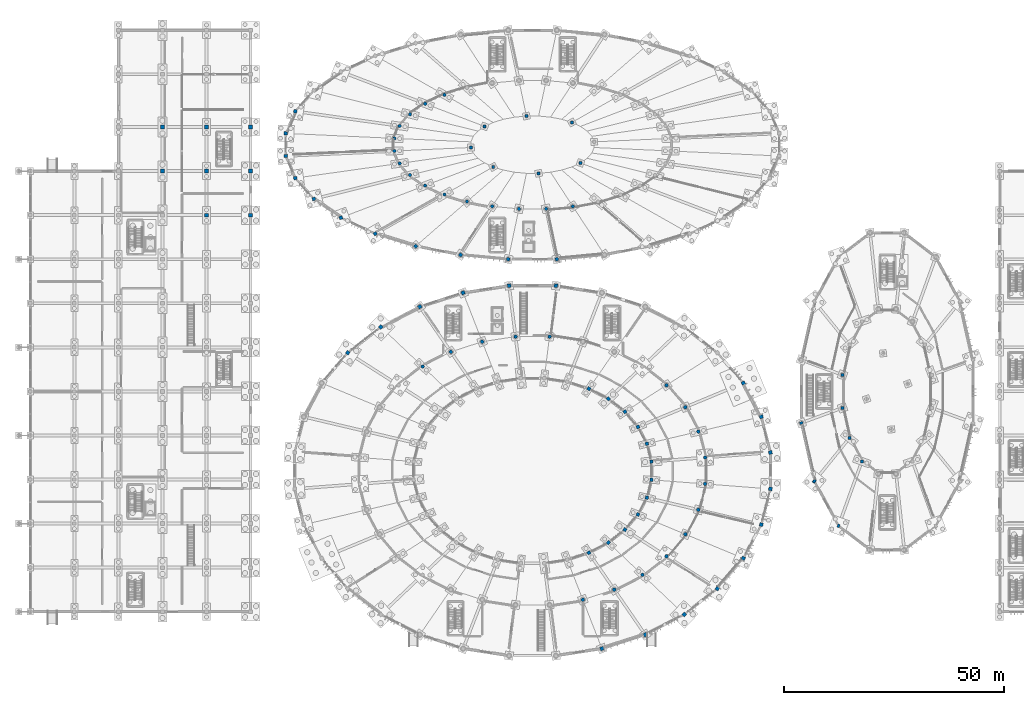
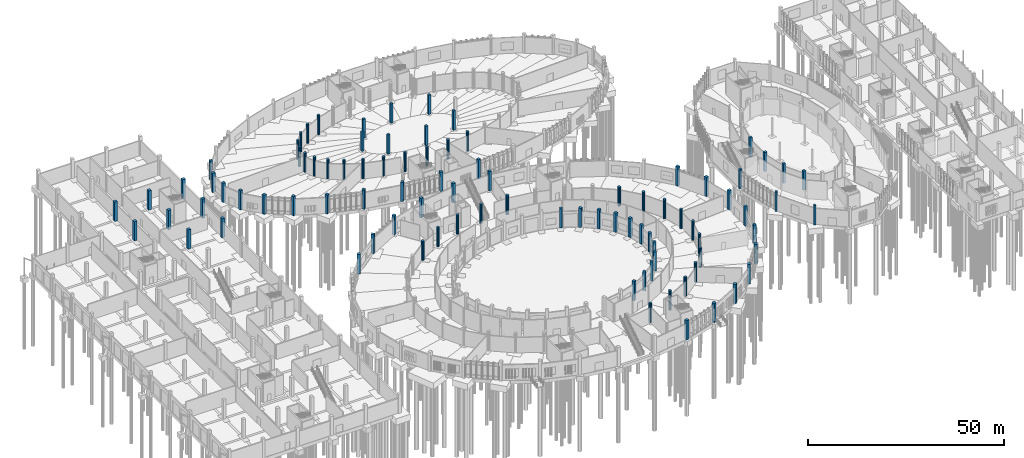
# One storey, part 21 of 140: 92 columns.
"""IFC4 building model written with IfcOpenShell, lengths in metres."""

from ifc_helpers import new_model, si_unit, direction, frame, origin, origin_2d, place, context, subcontext, project, spatial, rectangle, circle, extrude, material, material_profile, profile_set, type_object, element, save


model = new_model("IFC4")

# Units and contexts
model_context = context("Model", 3, precision=1e-05, world=origin(), true_north=direction((0.0, 1.0)))
body_context = subcontext(model_context, "Body", "Model", "MODEL_VIEW")
ifc_project = project(units=[si_unit("LENGTHUNIT", "METRE"), si_unit("AREAUNIT", "SQUARE_METRE"), si_unit("VOLUMEUNIT", "CUBIC_METRE"), si_unit("PLANEANGLEUNIT", "RADIAN"), si_unit("MASSUNIT", "GRAM", prefix="KILO")], contexts=[model_context])

# Site, building, storey
site_placement = place(None, origin())
site = spatial("IfcSite", under=ifc_project, at=site_placement, CompositionType="ELEMENT")
building_placement = place(site_placement, origin())
building = spatial("IfcBuilding", under=site, at=building_placement, Name="Corvandel Quay Wholesale Market", CompositionType="ELEMENT")
storey_placement = place(building_placement, origin())
storey = spatial("IfcBuildingStorey", under=building, at=storey_placement, Name="L00", CompositionType="ELEMENT", Elevation=0.0)

# Columns
ifc_material = material(Name="Precast concrete C45/55", Category="concrete")
ifc_material_profile_1 = material_profile(ifc_material, circle(Radius=0.39990234375, at=origin_2d()), Name="PC-COL-D800")
ifc_profile_set_1 = profile_set([ifc_material_profile_1], Name="Precast concrete C45/55")
column_type_1 = type_object("IfcColumnType", Name="Circular Hall Column C10 D800", PredefinedType="COLUMN", material=ifc_profile_set_1)
for number, where, z_axis, x_axis, name in (
    (1, (153.14990234375, 44.9990234375, 0.0), (0.0, 0.0, 1.0), (1.0, 0.0, 0.0), "Column COL-0004"),
    (2, (151.64501953125, 50.882080078125, 0.0), (0.0, 0.0, 1.0), (1.0, 0.0, 0.0), "Column COL-0014"),
    (3, (148.694091796875, 56.423095703125, 0.0), (0.0, 0.0, 1.0), (1.0, 0.0, 0.0), "Column COL-0024"),
    (4, (144.409912109375, 61.410888671875, 0.0), (0.0, 0.0, 1.0), (1.0, 0.0, 0.0), "Column COL-0034"),
    (5, (117.85595703125, 72.449951171875, 0.0), (0.0, 0.0, 1.0), (1.0, 0.0, 0.0), "Column COL-0074"),
    (6, (110.14404296875, 72.449951171875, 0.0), (0.0, 0.0, 1.0), (1.0, 0.0, 0.0), "Column COL-0084"),
    (7, (102.580078125, 71.280029296875, 0.0), (0.0, 0.0, 1.0), (1.0, 0.0, 0.0), "Column COL-0094"),
    (8, (95.4560546875, 68.98388671875, 0.0), (0.0, 0.0, 1.0), (1.0, 0.0, 0.0), "Column COL-0104"),
    (9, (89.04296875, 65.652099609375, 0.0), (0.0, 0.0, 1.0), (1.0, 0.0, 0.0), "Column COL-0114"),
    (10, (125.419921875, 12.719970703125, 0.0), (0.0, 0.0, 1.0), (1.0, 0.0, 0.0), "Column COL-0254"),
    (11, (132.5439453125, 15.01611328125, 0.0), (0.0, 0.0, 1.0), (1.0, 0.0, 0.0), "Column COL-0264"),
    (12, (138.95703125, 18.347900390625, 0.0), (0.0, 0.0, 1.0), (1.0, 0.0, 0.0), "Column COL-0274"),
    (13, (144.409912109375, 22.589111328125, 0.0), (0.0, 0.0, 1.0), (1.0, 0.0, 0.0), "Column COL-0284"),
    (14, (148.694091796875, 27.576904296875, 0.0), (0.0, 0.0, 1.0), (1.0, 0.0, 0.0), "Column COL-0294"),
    (15, (151.64501953125, 33.117919921875, 0.0), (0.0, 0.0, 1.0), (1.0, 0.0, 0.0), "Column COL-0304"),
    (16, (153.14990234375, 39.0009765625, 0.0), (0.0, 0.0, 1.0), (1.0, 0.0, 0.0), "Column COL-0314"),
):
    element("IfcColumn", number, at=place(storey_placement, frame(where, z_axis=z_axis, x_axis=x_axis)), inside=storey, type_object=column_type_1, Name=name, PredefinedType="COLUMN", context=body_context, shape_type="SweptSolid", body=[
        extrude(circle(Radius=0.39990234375, at=origin_2d()), origin(), (0.0, 0.0, 1.0), 6.0),
    ])
ifc_material_profile_2 = material_profile(ifc_material, circle(Radius=0.375, at=origin_2d()), Name="PC-COL-D750")
ifc_profile_set_2 = profile_set([ifc_material_profile_2], Name="Precast concrete C45/55")
column_type_2 = type_object("IfcColumnType", Name="Circular Hall Column C11 D750", PredefinedType="COLUMN", material=ifc_profile_set_2)
for number, where, z_axis, x_axis, name in (
    (17, (94.009033203125, 127.30908203125, 0.0), (0.0, 0.0, 1.0), (1.0, 0.0, 0.0), "Column COL-0373"),
    (18, (89.64111328125, 125.281005859375, 0.0), (0.0, 0.0, 1.0), (1.0, 0.0, 0.0), "Column COL-0377"),
    (19, (86.208984375, 122.89697265625, 0.0), (0.0, 0.0, 1.0), (1.0, 0.0, 0.0), "Column COL-0383"),
    (20, (83.844970703125, 120.2470703125, 0.0), (0.0, 0.0, 1.0), (1.0, 0.0, 0.0), "Column COL-0387"),
    (21, (82.639892578125, 117.43408203125, 0.0), (0.0, 0.0, 1.0), (1.0, 0.0, 0.0), "Column COL-0391"),
    (22, (82.639892578125, 114.56591796875, 0.0), (0.0, 0.0, 1.0), (1.0, 0.0, 0.0), "Column COL-0395"),
    (23, (83.844970703125, 111.7529296875, 0.0), (0.0, 0.0, 1.0), (1.0, 0.0, 0.0), "Column COL-0401"),
    (24, (86.208984375, 109.10302734375, 0.0), (0.0, 0.0, 1.0), (1.0, 0.0, 0.0), "Column COL-0405"),
    (25, (89.64111328125, 106.718994140625, 0.0), (0.0, 0.0, 1.0), (1.0, 0.0, 0.0), "Column COL-0409"),
    (26, (94.009033203125, 104.69091796875, 0.0), (0.0, 0.0, 1.0), (1.0, 0.0, 0.0), "Column COL-0413"),
    (27, (99.14501953125, 103.096923828125, 0.0), (0.0, 0.0, 1.0), (1.0, 0.0, 0.0), "Column COL-0420"),
    (28, (104.85302734375, 102.0, 0.0), (0.0, 0.0, 1.0), (1.0, 0.0, 0.0), "Column COL-0426"),
    (29, (110.910888671875, 101.43994140625, 0.0), (0.0, 0.0, 1.0), (1.0, 0.0, 0.0), "Column COL-0432"),
    (30, (117.089111328125, 101.43994140625, 0.0), (0.0, 0.0, 1.0), (1.0, 0.0, 0.0), "Column COL-0438"),
    (31, (123.14697265625, 102.0, 0.0), (0.0, 0.0, 1.0), (1.0, 0.0, 0.0), "Column COL-0446"),
):
    element("IfcColumn", number, at=place(storey_placement, frame(where, z_axis=z_axis, x_axis=x_axis)), inside=storey, type_object=column_type_2, Name=name, PredefinedType="COLUMN", context=body_context, shape_type="SweptSolid", body=[
        extrude(circle(Radius=0.375, at=origin_2d()), origin(), (0.0, 0.0, 1.0), 6.0),
    ])
ifc_material_profile_3 = material_profile(ifc_material, rectangle(XDim=0.550048828125, YDim=0.75, at=origin_2d()), Name="PC-COL-550x750")
ifc_profile_set_3 = profile_set([ifc_material_profile_3], Name="Precast concrete C45/55")
column_type_3 = type_object("IfcColumnType", Name="Pavilion Pier C09 550x750", PredefinedType="COLUMN", material=ifc_profile_set_3)
for number, where, z_axis, x_axis, name in (
    (32, (175.0, 52.839111328125, 0.0), (0.0, 0.0, 1.0), (-0.344642923175, 0.938733857654, 0.0), "Column COL-0529"),
    (33, (177.968994140625, 39.60791015625, 0.0), (0.0, 0.0, 1.0), (-0.776816343556, 0.629727217439, 0.0), "Column COL-0536"),
    (34, (183.4541015625, 29.48095703125, 0.0), (0.0, 0.0, 1.0), (-0.94028812701, 0.340379550213, 0.0), "Column COL-0542"),
):
    element("IfcColumn", number, at=place(storey_placement, frame(where, z_axis=z_axis, x_axis=x_axis)), inside=storey, type_object=column_type_3, Name=name, PredefinedType="COLUMN", context=body_context, shape_type="SweptSolid", body=[
        extrude(rectangle(XDim=0.550048828125, YDim=0.75, at=origin_2d()), origin(), (0.0, 0.0, 1.0), 6.0),
    ])
ifc_material_profile_4 = material_profile(ifc_material, rectangle(XDim=0.85009765625, YDim=0.85009765625, at=origin_2d()), Name="PC-COL-850x850")
ifc_profile_set_4 = profile_set([ifc_material_profile_4], Name="Precast concrete C45/55")
column_type_4 = type_object("IfcColumnType", Name="Precast Column C01 850x850", PredefinedType="COLUMN", material=ifc_profile_set_4)
for number, where, z_axis, x_axis, name in (
    (35, (30.0, 110.0, 0.0), (0.0, 0.0, 1.0), (1.0, 0.0, 0.0), "Column COL-0681"),
    (36, (30.0, 120.0, 0.0), (0.0, 0.0, 1.0), (1.0, 0.0, 0.0), "Column COL-0684"),
    (37, (40.0, 100.0, 0.0), (0.0, 0.0, 1.0), (1.0, 0.0, 0.0), "Column COL-0718"),
    (38, (40.0, 110.0, 0.0), (0.0, 0.0, 1.0), (1.0, 0.0, 0.0), "Column COL-0721"),
    (39, (40.0, 120.0, 0.0), (0.0, 0.0, 1.0), (1.0, 0.0, 0.0), "Column COL-0724"),
    (40, (50.0, 100.0, 0.0), (0.0, 0.0, 1.0), (1.0, 0.0, 0.0), "Column COL-0758"),
    (41, (50.0, 110.0, 0.0), (0.0, 0.0, 1.0), (1.0, 0.0, 0.0), "Column COL-0761"),
    (42, (50.0, 120.0, 0.0), (0.0, 0.0, 1.0), (1.0, 0.0, 0.0), "Column COL-0764"),
):
    element("IfcColumn", number, at=place(storey_placement, frame(where, z_axis=z_axis, x_axis=x_axis)), inside=storey, type_object=column_type_4, Name=name, PredefinedType="COLUMN", context=body_context, shape_type="SweptSolid", body=[
        extrude(rectangle(XDim=0.85009765625, YDim=0.85009765625, at=origin_2d()), origin(), (0.0, 0.0, 1.0), 6.0),
    ])
ifc_material_profile_5 = material_profile(ifc_material, rectangle(XDim=0.800048828125, YDim=0.800048828125, at=origin_2d()), Name="PC-COL-800x800")
ifc_profile_set_5 = profile_set([ifc_material_profile_5], Name="Precast concrete C45/55")
column_type_5 = type_object("IfcColumnType", Name="Precast Column C02 800x800", PredefinedType="COLUMN", material=ifc_profile_set_5)
for number, where, z_axis, x_axis, name in (
    (43, (168.0, 46.136962890625, 0.0), (0.0, 0.0, 1.0), (-0.076370986393, 0.997079471475, 0.0), "Column COL-0001"),
    (44, (165.925048828125, 54.2509765625, 0.0), (0.0, 0.0, 1.0), (-0.229710019669, 0.973259115993, 0.0), "Column COL-0011"),
    (45, (161.85400390625, 61.89404296875, 0.0), (0.0, 0.0, 1.0), (-0.383811878264, 0.923411307113, 0.0), "Column COL-0021"),
    (46, (119.319091796875, 84.0, 0.0), (0.0, 0.0, 1.0), (-0.992070891321, 0.125679539283, 0.0), "Column COL-0071"),
    (47, (108.680908203125, 84.0, 0.0), (0.0, 0.0, 1.0), (0.992070891321, 0.125679539283, 0.0), "Column COL-0081"),
    (48, (98.2490234375, 82.385986328125, 0.0), (0.0, 0.0, 1.0), (0.931627814096, 0.363413835735, 0.0), "Column COL-0091"),
    (49, (88.4208984375, 79.219970703125, 0.0), (0.0, 0.0, 1.0), (0.824126188622, 0.566406236925, 0.0), "Column COL-0101"),
    (50, (79.576904296875, 74.6240234375, 0.0), (0.0, 0.0, 1.0), (0.687848001144, 0.725854756355, 0.0), "Column COL-0111"),
    (51, (72.054931640625, 68.77294921875, 0.0), (0.0, 0.0, 1.0), (0.538035401546, 0.842922242371, 0.0), "Column COL-0121"),
    (52, (129.7509765625, 1.614013671875, 0.0), (0.0, 0.0, 1.0), (0.931627814096, 0.363413835735, 0.0), "Column COL-0251"),
    (53, (139.5791015625, 4.780029296875, 0.0), (0.0, 0.0, 1.0), (0.824126188622, 0.566406236925, 0.0), "Column COL-0261"),
    (54, (148.423095703125, 9.3759765625, 0.0), (0.0, 0.0, 1.0), (0.687848001144, 0.725854756355, 0.0), "Column COL-0271"),
    (55, (155.945068359375, 15.22705078125, 0.0), (0.0, 0.0, 1.0), (0.538035401546, 0.842922242371, 0.0), "Column COL-0281"),
    (56, (161.85400390625, 22.10595703125, 0.0), (0.0, 0.0, 1.0), (0.383811878264, 0.923411307113, 0.0), "Column COL-0291"),
    (57, (165.925048828125, 29.7490234375, 0.0), (0.0, 0.0, 1.0), (0.229710019669, 0.973259115993, 0.0), "Column COL-0301"),
    (58, (168.0, 37.863037109375, 0.0), (0.0, 0.0, 1.0), (0.076370986393, 0.997079471475, 0.0), "Column COL-0311"),
):
    element("IfcColumn", number, at=place(storey_placement, frame(where, z_axis=z_axis, x_axis=x_axis)), inside=storey, type_object=column_type_5, Name=name, PredefinedType="COLUMN", context=body_context, shape_type="SweptSolid", body=[
        extrude(rectangle(XDim=0.800048828125, YDim=0.800048828125, at=origin_2d()), origin(), (0.0, 0.0, 1.0), 6.0),
    ])
ifc_material_profile_6 = material_profile(ifc_material, rectangle(XDim=0.75, YDim=0.75, at=origin_2d()), Name="PC-COL-750x750")
ifc_profile_set_6 = profile_set([ifc_material_profile_6], Name="Precast concrete C45/55")
column_type_6 = type_object("IfcColumnType", Name="Precast Column C03 750x750", PredefinedType="COLUMN", material=ifc_profile_set_6)
for number, where, z_axis, x_axis, name in (
    (59, (141.0, 44.068115234375, 0.0), (0.0, 0.0, 1.0), (-0.076370986393, 0.997079471475, 0.0), "Column COL-0008"),
    (60, (139.9619140625, 48.125, 0.0), (0.0, 0.0, 1.0), (-0.229710019669, 0.973259115993, 0.0), "Column COL-0018"),
    (61, (137.927001953125, 51.947021484375, 0.0), (0.0, 0.0, 1.0), (-0.383811878264, 0.923411307113, 0.0), "Column COL-0028"),
    (62, (134.971923828125, 55.386962890625, 0.0), (0.0, 0.0, 1.0), (-0.538035401546, 0.842922242371, 0.0), "Column COL-0038"),
    (63, (131.2109375, 58.31201171875, 0.0), (0.0, 0.0, 1.0), (-0.687848001144, 0.725854756355, 0.0), "Column COL-0048"),
    (64, (126.7890625, 60.610107421875, 0.0), (0.0, 0.0, 1.0), (-0.824126188622, 0.566406236925, 0.0), "Column COL-0058"),
    (65, (126.7890625, 23.389892578125, 0.0), (0.0, 0.0, 1.0), (0.824126188622, 0.566406236925, 0.0), "Column COL-0268"),
    (66, (131.2109375, 25.68798828125, 0.0), (0.0, 0.0, 1.0), (0.687848001144, 0.725854756355, 0.0), "Column COL-0278"),
    (67, (134.971923828125, 28.613037109375, 0.0), (0.0, 0.0, 1.0), (0.538035401546, 0.842922242371, 0.0), "Column COL-0288"),
    (68, (137.927001953125, 32.052978515625, 0.0), (0.0, 0.0, 1.0), (0.383811878264, 0.923411307113, 0.0), "Column COL-0298"),
    (69, (139.9619140625, 35.875, 0.0), (0.0, 0.0, 1.0), (0.229710019669, 0.973259115993, 0.0), "Column COL-0308"),
    (70, (141.0, 39.931884765625, 0.0), (0.0, 0.0, 1.0), (0.076370986393, 0.997079471475, 0.0), "Column COL-0318"),
    (71, (60.152099609375, 123.583984375, 0.0), (0.0, 0.0, 1.0), (0.13951876124, 0.990219427835, 0.0), "Column COL-0385"),
    (72, (58.0, 118.56103515625, 0.0), (0.0, 0.0, 1.0), (0.04571169187, 0.99895467426, 0.0), "Column COL-0389"),
    (73, (58.0, 113.43896484375, 0.0), (0.0, 0.0, 1.0), (-0.04571169187, 0.99895467426, 0.0), "Column COL-0393"),
    (74, (60.152099609375, 108.416015625, 0.0), (0.0, 0.0, 1.0), (-0.13951876124, 0.990219427835, 0.0), "Column COL-0399"),
    (75, (64.373046875, 103.68408203125, 0.0), (0.0, 0.0, 1.0), (-0.240905671828, 0.970548534222, 0.0), "Column COL-0403"),
    (76, (70.501953125, 99.426025390625, 0.0), (0.0, 0.0, 1.0), (-0.356085714679, 0.934453296747, 0.0), "Column COL-0407"),
    (77, (78.302001953125, 95.803955078125, 0.0), (0.0, 0.0, 1.0), (-0.492423560103, 0.87035569594, 0.0), "Column COL-0411"),
    (78, (87.47412109375, 92.958984375, 0.0), (0.0, 0.0, 1.0), (-0.655795545685, 0.754938542041, 0.0), "Column COL-0417"),
    (79, (97.6650390625, 90.9990234375, 0.0), (0.0, 0.0, 1.0), (-0.837146380758, 0.546978918409, 0.0), "Column COL-0423"),
    (80, (108.48388671875, 90.0, 0.0), (0.0, 0.0, 1.0), (-0.978220116011, 0.207570240234, 0.0), "Column COL-0429"),
    (81, (119.51611328125, 90.0, 0.0), (0.0, 0.0, 1.0), (0.978220116011, 0.207570240234, 0.0), "Column COL-0435"),
):
    element("IfcColumn", number, at=place(storey_placement, frame(where, z_axis=z_axis, x_axis=x_axis)), inside=storey, type_object=column_type_6, Name=name, PredefinedType="COLUMN", context=body_context, shape_type="SweptSolid", body=[
        extrude(rectangle(XDim=0.75, YDim=0.75, at=origin_2d()), origin(), (0.0, 0.0, 1.0), 6.0),
    ])
ifc_material_profile_7 = material_profile(ifc_material, rectangle(XDim=0.699951171875, YDim=0.699951171875, at=origin_2d()), Name="PC-COL-700x700")
ifc_profile_set_7 = profile_set([ifc_material_profile_7], Name="Precast concrete C45/55")
column_type_7 = type_object("IfcColumnType", Name="Precast Column C04 700x700", PredefinedType="COLUMN", material=ifc_profile_set_7)
for number, where, z_axis, x_axis, name in (
    (82, (184.360107421875, 63.72412109375, 0.0), (0.0, 0.0, 1.0), (1.0, 0.0, 0.0), "Column COL-0526"),
    (83, (184.360107421875, 56.27587890625, 0.0), (0.0, 0.0, 1.0), (1.0, 0.0, 0.0), "Column COL-0532"),
    (84, (185.904052734375, 49.39599609375, 0.0), (0.0, 0.0, 1.0), (1.0, 0.0, 0.0), "Column COL-0539"),
    (85, (188.756103515625, 44.1298828125, 0.0), (0.0, 0.0, 1.0), (1.0, 0.0, 0.0), "Column COL-0545"),
):
    element("IfcColumn", number, at=place(storey_placement, frame(where, z_axis=z_axis, x_axis=x_axis)), inside=storey, type_object=column_type_7, Name=name, PredefinedType="COLUMN", context=body_context, shape_type="SweptSolid", body=[
        extrude(rectangle(XDim=0.699951171875, YDim=0.699951171875, at=origin_2d()), origin(), (0.0, 0.0, 1.0), 6.0),
    ])
ifc_material_profile_8 = material_profile(ifc_material, rectangle(XDim=0.64990234375, YDim=0.64990234375, at=origin_2d()), Name="PC-COL-650x650")
ifc_profile_set_8 = profile_set([ifc_material_profile_8], Name="Precast concrete C45/55")
column_type_8 = type_object("IfcColumnType", Name="Precast Column C05 650x650", PredefinedType="COLUMN", material=ifc_profile_set_8)
for number, where, z_axis, x_axis, name in (
    (86, (122.924072265625, 121.049072265625, 0.0), (0.0, 0.0, 1.0), (1.0, 0.0, 0.0), "Column COL-0343"),
    (87, (112.62109375, 122.5, 0.0), (0.0, 0.0, 1.0), (1.0, 0.0, 0.0), "Column COL-0361"),
    (88, (103.125, 120.14404296875, 0.0), (0.0, 0.0, 1.0), (1.0, 0.0, 0.0), "Column COL-0379"),
    (89, (100.0, 115.360107421875, 0.0), (0.0, 0.0, 1.0), (1.0, 0.0, 0.0), "Column COL-0397"),
    (90, (105.075927734375, 110.950927734375, 0.0), (0.0, 0.0, 1.0), (1.0, 0.0, 0.0), "Column COL-0415"),
    (91, (115.37890625, 109.5, 0.0), (0.0, 0.0, 1.0), (1.0, 0.0, 0.0), "Column COL-0441"),
    (92, (124.875, 111.85595703125, 0.0), (0.0, 0.0, 1.0), (1.0, 0.0, 0.0), "Column COL-0465"),
):
    element("IfcColumn", number, at=place(storey_placement, frame(where, z_axis=z_axis, x_axis=x_axis)), inside=storey, type_object=column_type_8, Name=name, PredefinedType="COLUMN", context=body_context, shape_type="SweptSolid", body=[
        extrude(rectangle(XDim=0.64990234375, YDim=0.64990234375, at=origin_2d()), origin(), (0.0, 0.0, 1.0), 6.0),
    ])

save(model, "model.ifc")
